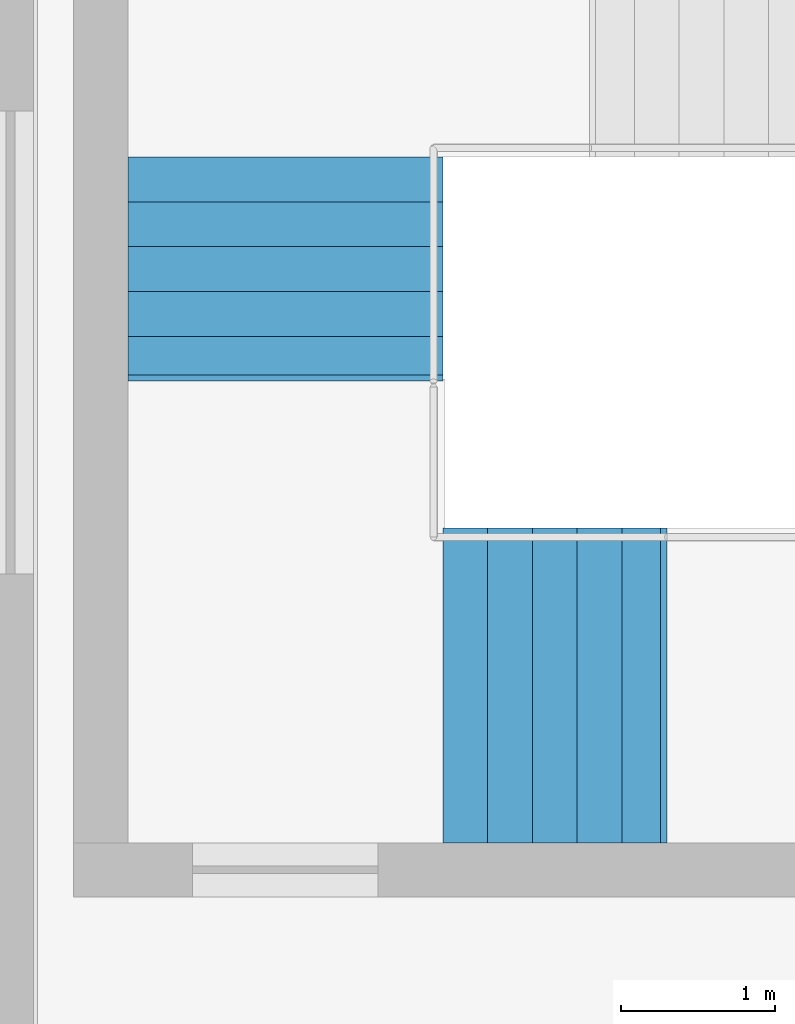
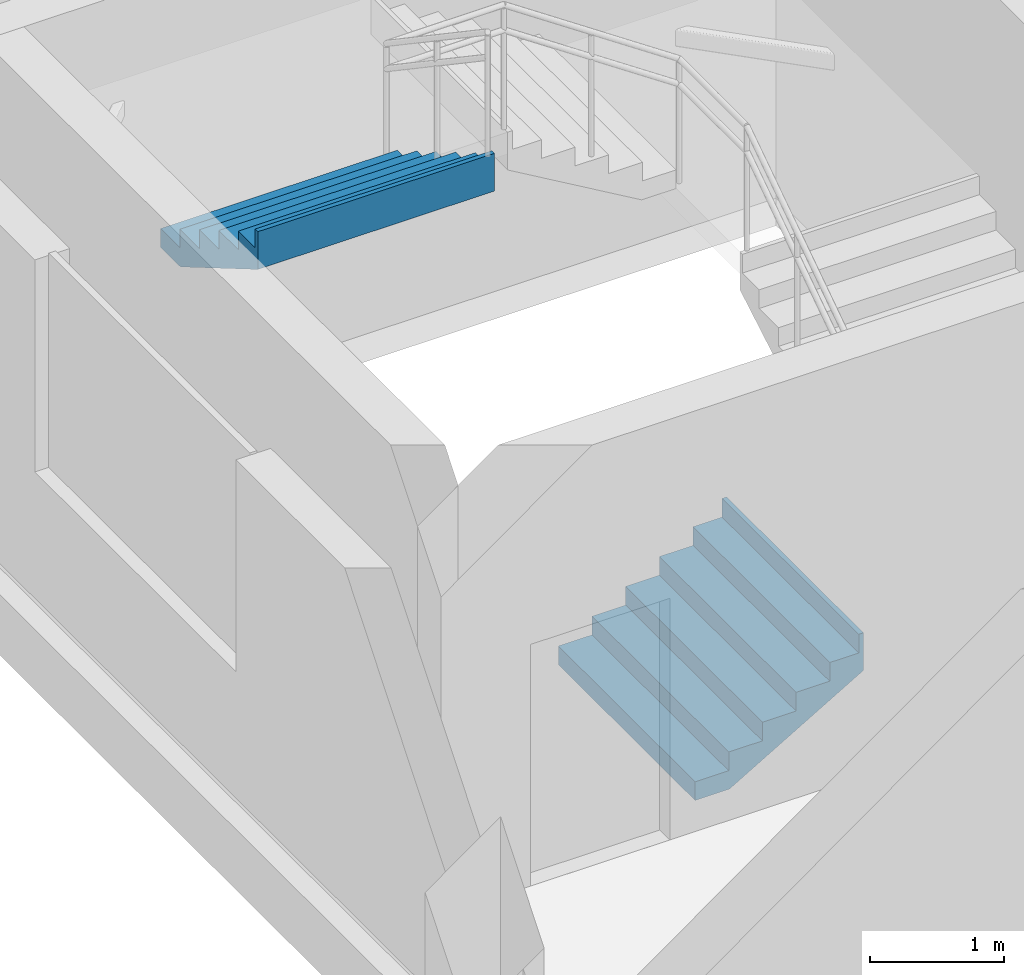
# One storey, part 48 of 53: 2 stair flights, 1 element without a shape of its own.
"""IFC4 building model written with IfcOpenShell, lengths in metres."""

from ifc_helpers import new_model, si_unit, direction, frame, origin, place, context, subcontext, project, spatial, triangles, material, type_object, element, aggregate, save


model = new_model("IFC4")

# Units and contexts
model_context = context("Model", 3, precision=1e-05, world=origin(), true_north=direction((0.0, 1.0)))
body_context = subcontext(model_context, "Body", "Model", "MODEL_VIEW")
ifc_project = project(units=[si_unit("LENGTHUNIT", "METRE"), si_unit("AREAUNIT", "SQUARE_METRE"), si_unit("VOLUMEUNIT", "CUBIC_METRE"), si_unit("PLANEANGLEUNIT", "RADIAN"), si_unit("MASSUNIT", "GRAM", prefix="KILO")], contexts=[model_context])

# Site, building, storey
site_placement = place(None, origin())
site = spatial("IfcSite", under=ifc_project, at=site_placement, CompositionType="ELEMENT")
building_placement = place(site_placement, origin())
building = spatial("IfcBuilding", under=site, at=building_placement, Name="Sillaruma Civic Art Gallery", CompositionType="ELEMENT")
storey_placement = place(building_placement, frame((0.0, 0.0, 70.3798828125)))
storey = spatial("IfcBuildingStorey", under=building, at=storey_placement, Name="L14", CompositionType="ELEMENT", Elevation=70.3798828125)

# Stair, stair flights
ifc_material = material(Name="Concrete H35 (35 MPa)", Category="concrete")
stair_type = type_object("IfcStairType", Name="STR-4F-24", PredefinedType="USERDEFINED", material=ifc_material)
stair_placement = place(storey_placement, origin())
stair = element("IfcStair", 1, at=stair_placement, inside=storey, type_object=stair_type, Name="Protected Exit Stair ST-03 (West Bar South) (L14)", ObjectType="THREE_RETURN_STAIR", PredefinedType="USERDEFINED")
stair_flight_type = type_object("IfcStairFlightType", Name="SFL-STR-6", PredefinedType="STRAIGHT", material=ifc_material)
stair_flight_1_placement = place(storey_placement, frame((64.800048828125, 32.429931640625, 0.0), z_axis=(0.0, 0.0, 1.0), x_axis=(1.0, 0.0, 0.0)))
stair_flight_1 = element("IfcStairFlight", 2, at=stair_flight_1_placement, type_object=stair_flight_type, Name="ST-03 flight 1", NumberOfRisers=6, NumberOfTreads=5, PredefinedType="STRAIGHT", RiserHeight=0.17, TreadLength=0.29, context=body_context, shape_type="Tessellation", body=[
    triangles([(0.0, -1.02001953125, 0.0), (0.29, -1.02001953125, 0.0), (0.296365, -1.02001953125, 0.0), (0.58, -1.02001953125, 0.166269), (0.87, -1.02001953125, 0.336269), (1.16, -1.02001953125, 0.506269), (1.409951, -1.02001953125, 0.652792), (1.449951, -1.02001953125, 0.67624), (1.449951, -1.02001953125, 1.02), (1.409951, -1.02001953125, 1.02), (1.409951, -1.02001953125, 0.85), (1.16, -1.02001953125, 0.85), (1.16, -1.02001953125, 0.68), (0.87, -1.02001953125, 0.68), (0.87, -1.02001953125, 0.51), (0.58, -1.02001953125, 0.51), (0.58, -1.02001953125, 0.34), (0.296365, -1.02001953125, 0.34), (0.29, -1.02001953125, 0.34), (0.29, -1.02001953125, 0.17), (0.0, -1.02001953125, 0.17), (0.0, -0.05, 0.0), (0.29, -0.05, 0.0), (0.296365, -0.05, 0.0), (0.58, -0.05, 0.166269), (0.87, -0.05, 0.336269), (1.16, -0.05, 0.506269), (1.409951, -0.05, 0.652792), (1.449951, -0.05, 0.67624), (1.449951, -0.05, 1.02), (1.409951, -0.05, 1.02), (1.409951, -0.05, 0.85), (1.16, -0.05, 0.85), (1.16, -0.05, 0.68), (0.87, -0.05, 0.68), (0.87, -0.05, 0.51), (0.58, -0.05, 0.51), (0.58, -0.05, 0.34), (0.296365, -0.05, 0.34), (0.29, -0.05, 0.34), (0.29, -0.05, 0.17), (0.0, -0.05, 0.17), (0.0, -0.0375, 0.0), (0.29, -0.0375, 0.0), (0.296365, -0.0375, 0.0), (0.58, -0.0375, 0.166269), (0.87, -0.0375, 0.336269), (1.16, -0.0375, 0.506269), (1.409951, -0.0375, 0.652792), (1.449951, -0.0375, 0.67624), (1.449951, -0.0375, 1.02), (1.409951, -0.0375, 1.02), (1.409951, -0.0375, 0.85), (1.16, -0.0375, 0.85), (1.16, -0.0375, 0.68), (0.87, -0.0375, 0.68), (0.87, -0.0375, 0.51), (0.58, -0.0375, 0.51), (0.58, -0.0375, 0.34), (0.296365, -0.0375, 0.34), (0.29, -0.0375, 0.34), (0.29, -0.0375, 0.17), (0.0, -0.0375, 0.17), (0.0, -0.025, 0.0), (0.29, -0.025, 0.0), (0.296365, -0.025, 0.0), (0.58, -0.025, 0.166269), (0.87, -0.025, 0.336269), (1.16, -0.025, 0.506269), (1.409951, -0.025, 0.652792), (1.449951, -0.025, 0.67624), (1.449951, -0.025, 1.02), (1.409951, -0.025, 1.02), (1.409951, -0.025, 0.85), (1.16, -0.025, 0.85), (1.16, -0.025, 0.68), (0.87, -0.025, 0.68), (0.87, -0.025, 0.51), (0.58, -0.025, 0.51), (0.58, -0.025, 0.34), (0.296365, -0.025, 0.34), (0.29, -0.025, 0.34), (0.29, -0.025, 0.17), (0.0, -0.025, 0.17), (0.0, -0.0125, 0.0), (0.29, -0.0125, 0.0), (0.296365, -0.0125, 0.0), (0.58, -0.0125, 0.166269), (0.87, -0.0125, 0.336269), (1.16, -0.0125, 0.506269), (1.409951, -0.0125, 0.652792), (1.449951, -0.0125, 0.67624), (1.449951, -0.0125, 1.02), (1.409951, -0.0125, 1.02), (1.409951, -0.0125, 0.85), (1.16, -0.0125, 0.85), (1.16, -0.0125, 0.68), (0.87, -0.0125, 0.68), (0.87, -0.0125, 0.51), (0.58, -0.0125, 0.51), (0.58, -0.0125, 0.34), (0.296365, -0.0125, 0.34), (0.29, -0.0125, 0.34), (0.29, -0.0125, 0.17), (0.0, -0.0125, 0.17), (0.0, 0.0, 0.0), (0.29, 0.0, 0.0), (0.296365, 0.0, 0.0), (0.58, 0.0, 0.166269), (0.87, 0.0, 0.336269), (1.16, 0.0, 0.506269), (1.409951, 0.0, 0.652792), (1.449951, 0.0, 0.67624), (1.449951, 0.0, 1.02), (1.409951, 0.0, 1.02), (1.409951, 0.0, 0.85), (1.16, 0.0, 0.85), (1.16, 0.0, 0.68), (0.87, 0.0, 0.68), (0.87, 0.0, 0.51), (0.58, 0.0, 0.51), (0.58, 0.0, 0.34), (0.296365, 0.0, 0.34), (0.29, 0.0, 0.34), (0.29, 0.0, 0.17), (0.0, 0.0, 0.17), (0.0, 0.0125, 0.0), (0.29, 0.0125, 0.0), (0.296365, 0.0125, 0.0), (0.58, 0.0125, 0.166269), (0.87, 0.0125, 0.336269), (1.16, 0.0125, 0.506269), (1.409951, 0.0125, 0.652792), (1.449951, 0.0125, 0.67624), (1.449951, 0.0125, 1.02), (1.409951, 0.0125, 1.02), (1.409951, 0.0125, 0.85), (1.16, 0.0125, 0.85), (1.16, 0.0125, 0.68), (0.87, 0.0125, 0.68), (0.87, 0.0125, 0.51), (0.58, 0.0125, 0.51), (0.58, 0.0125, 0.34), (0.296365, 0.0125, 0.34), (0.29, 0.0125, 0.34), (0.29, 0.0125, 0.17), (0.0, 0.0125, 0.17), (0.0, 0.025, 0.0), (0.29, 0.025, 0.0), (0.296365, 0.025, 0.0), (0.58, 0.025, 0.166269), (0.87, 0.025, 0.336269), (1.16, 0.025, 0.506269), (1.409951, 0.025, 0.652792), (1.449951, 0.025, 0.67624), (1.449951, 0.025, 1.02), (1.409951, 0.025, 1.02), (1.409951, 0.025, 0.85), (1.16, 0.025, 0.85), (1.16, 0.025, 0.68), (0.87, 0.025, 0.68), (0.87, 0.025, 0.51), (0.58, 0.025, 0.51), (0.58, 0.025, 0.34), (0.296365, 0.025, 0.34), (0.29, 0.025, 0.34), (0.29, 0.025, 0.17), (0.0, 0.025, 0.17), (0.0, 0.0375, 0.0), (0.29, 0.0375, 0.0), (0.296365, 0.0375, 0.0), (0.58, 0.0375, 0.166269), (0.87, 0.0375, 0.336269), (1.16, 0.0375, 0.506269), (1.409951, 0.0375, 0.652792), (1.449951, 0.0375, 0.67624), (1.449951, 0.0375, 1.02), (1.409951, 0.0375, 1.02), (1.409951, 0.0375, 0.85), (1.16, 0.0375, 0.85), (1.16, 0.0375, 0.68), (0.87, 0.0375, 0.68), (0.87, 0.0375, 0.51), (0.58, 0.0375, 0.51), (0.58, 0.0375, 0.34), (0.296365, 0.0375, 0.34), (0.29, 0.0375, 0.34), (0.29, 0.0375, 0.17), (0.0, 0.0375, 0.17), (0.0, 0.05, 0.0), (0.29, 0.05, 0.0), (0.296365, 0.05, 0.0), (0.58, 0.05, 0.166269), (0.87, 0.05, 0.336269), (1.16, 0.05, 0.506269), (1.409951, 0.05, 0.652792), (1.449951, 0.05, 0.67624), (1.449951, 0.05, 1.02), (1.409951, 0.05, 1.02), (1.409951, 0.05, 0.85), (1.16, 0.05, 0.85), (1.16, 0.05, 0.68), (0.87, 0.05, 0.68), (0.87, 0.05, 0.51), (0.58, 0.05, 0.51), (0.58, 0.05, 0.34), (0.296365, 0.05, 0.34), (0.29, 0.05, 0.34), (0.29, 0.05, 0.17), (0.0, 0.05, 0.17), (0.0, 1.02001953125, 0.0), (0.29, 1.02001953125, 0.0), (0.296365, 1.02001953125, 0.0), (0.58, 1.02001953125, 0.166269), (0.87, 1.02001953125, 0.336269), (1.16, 1.02001953125, 0.506269), (1.409951, 1.02001953125, 0.652792), (1.449951, 1.02001953125, 0.67624), (1.449951, 1.02001953125, 1.02), (1.409951, 1.02001953125, 1.02), (1.409951, 1.02001953125, 0.85), (1.16, 1.02001953125, 0.85), (1.16, 1.02001953125, 0.68), (0.87, 1.02001953125, 0.68), (0.87, 1.02001953125, 0.51), (0.58, 1.02001953125, 0.51), (0.58, 1.02001953125, 0.34), (0.296365, 1.02001953125, 0.34), (0.29, 1.02001953125, 0.34), (0.29, 1.02001953125, 0.17), (0.0, 1.02001953125, 0.17)], [[1, 2, 20], [1, 20, 21], [2, 3, 18], [2, 18, 20], [20, 18, 19], [3, 4, 17], [3, 17, 18], [4, 5, 15], [4, 15, 17], [17, 15, 16], [5, 6, 13], [5, 13, 15], [15, 13, 14], [6, 7, 11], [6, 11, 13], [13, 11, 12], [7, 8, 9], [7, 9, 11], [11, 9, 10], [230, 212, 211], [231, 230, 211], [228, 213, 212], [230, 228, 212], [229, 228, 230], [227, 214, 213], [228, 227, 213], [225, 215, 214], [227, 225, 214], [226, 225, 227], [223, 216, 215], [225, 223, 215], [224, 223, 225], [221, 217, 216], [223, 221, 216], [222, 221, 223], [219, 218, 217], [221, 219, 217], [220, 219, 221], [2, 1, 22], [2, 22, 23], [3, 2, 23], [3, 23, 24], [4, 3, 24], [4, 24, 25], [5, 4, 25], [5, 25, 26], [6, 5, 26], [6, 26, 27], [7, 6, 27], [7, 27, 28], [8, 7, 28], [8, 28, 29], [9, 8, 29], [9, 29, 30], [10, 9, 30], [10, 30, 31], [11, 10, 31], [11, 31, 32], [12, 11, 32], [12, 32, 33], [13, 12, 33], [13, 33, 34], [14, 13, 34], [14, 34, 35], [15, 14, 35], [15, 35, 36], [16, 15, 36], [16, 36, 37], [17, 16, 37], [17, 37, 38], [18, 17, 38], [18, 38, 39], [19, 18, 39], [19, 39, 40], [20, 19, 40], [20, 40, 41], [21, 20, 41], [21, 41, 42], [1, 21, 42], [1, 42, 22], [23, 22, 43], [23, 43, 44], [24, 23, 44], [24, 44, 45], [25, 24, 45], [25, 45, 46], [26, 25, 46], [26, 46, 47], [27, 26, 47], [27, 47, 48], [28, 27, 48], [28, 48, 49], [29, 28, 49], [29, 49, 50], [30, 29, 50], [30, 50, 51], [31, 30, 51], [31, 51, 52], [32, 31, 52], [32, 52, 53], [33, 32, 53], [33, 53, 54], [34, 33, 54], [34, 54, 55], [35, 34, 55], [35, 55, 56], [36, 35, 56], [36, 56, 57], [37, 36, 57], [37, 57, 58], [38, 37, 58], [38, 58, 59], [39, 38, 59], [39, 59, 60], [40, 39, 60], [40, 60, 61], [41, 40, 61], [41, 61, 62], [42, 41, 62], [42, 62, 63], [22, 42, 63], [22, 63, 43], [44, 43, 64], [44, 64, 65], [45, 44, 65], [45, 65, 66], [46, 45, 66], [46, 66, 67], [47, 46, 67], [47, 67, 68], [48, 47, 68], [48, 68, 69], [49, 48, 69], [49, 69, 70], [50, 49, 70], [50, 70, 71], [51, 50, 71], [51, 71, 72], [52, 51, 72], [52, 72, 73], [53, 52, 73], [53, 73, 74], [54, 53, 74], [54, 74, 75], [55, 54, 75], [55, 75, 76], [56, 55, 76], [56, 76, 77], [57, 56, 77], [57, 77, 78], [58, 57, 78], [58, 78, 79], [59, 58, 79], [59, 79, 80], [60, 59, 80], [60, 80, 81], [61, 60, 81], [61, 81, 82], [62, 61, 82], [62, 82, 83], [63, 62, 83], [63, 83, 84], [43, 63, 84], [43, 84, 64], [65, 64, 85], [65, 85, 86], [66, 65, 86], [66, 86, 87], [67, 66, 87], [67, 87, 88], [68, 67, 88], [68, 88, 89], [69, 68, 89], [69, 89, 90], [70, 69, 90], [70, 90, 91], [71, 70, 91], [71, 91, 92], [72, 71, 92], [72, 92, 93], [73, 72, 93], [73, 93, 94], [74, 73, 94], [74, 94, 95], [75, 74, 95], [75, 95, 96], [76, 75, 96], [76, 96, 97], [77, 76, 97], [77, 97, 98], [78, 77, 98], [78, 98, 99], [79, 78, 99], [79, 99, 100], [80, 79, 100], [80, 100, 101], [81, 80, 101], [81, 101, 102], [82, 81, 102], [82, 102, 103], [83, 82, 103], [83, 103, 104], [84, 83, 104], [84, 104, 105], [64, 84, 105], [64, 105, 85], [86, 85, 106], [86, 106, 107], [87, 86, 107], [87, 107, 108], [88, 87, 108], [88, 108, 109], [89, 88, 109], [89, 109, 110], [90, 89, 110], [90, 110, 111], [91, 90, 111], [91, 111, 112], [92, 91, 112], [92, 112, 113], [93, 92, 113], [93, 113, 114], [94, 93, 114], [94, 114, 115], [95, 94, 115], [95, 115, 116], [96, 95, 116], [96, 116, 117], [97, 96, 117], [97, 117, 118], [98, 97, 118], [98, 118, 119], [99, 98, 119], [99, 119, 120], [100, 99, 120], [100, 120, 121], [101, 100, 121], [101, 121, 122], [102, 101, 122], [102, 122, 123], [103, 102, 123], [103, 123, 124], [104, 103, 124], [104, 124, 125], [105, 104, 125], [105, 125, 126], [85, 105, 126], [85, 126, 106], [107, 106, 127], [107, 127, 128], [108, 107, 128], [108, 128, 129], [109, 108, 129], [109, 129, 130], [110, 109, 130], [110, 130, 131], [111, 110, 131], [111, 131, 132], [112, 111, 132], [112, 132, 133], [113, 112, 133], [113, 133, 134], [114, 113, 134], [114, 134, 135], [115, 114, 135], [115, 135, 136], [116, 115, 136], [116, 136, 137], [117, 116, 137], [117, 137, 138], [118, 117, 138], [118, 138, 139], [119, 118, 139], [119, 139, 140], [120, 119, 140], [120, 140, 141], [121, 120, 141], [121, 141, 142], [122, 121, 142], [122, 142, 143], [123, 122, 143], [123, 143, 144], [124, 123, 144], [124, 144, 145], [125, 124, 145], [125, 145, 146], [126, 125, 146], [126, 146, 147], [106, 126, 147], [106, 147, 127], [128, 127, 148], [128, 148, 149], [129, 128, 149], [129, 149, 150], [130, 129, 150], [130, 150, 151], [131, 130, 151], [131, 151, 152], [132, 131, 152], [132, 152, 153], [133, 132, 153], [133, 153, 154], [134, 133, 154], [134, 154, 155], [135, 134, 155], [135, 155, 156], [136, 135, 156], [136, 156, 157], [137, 136, 157], [137, 157, 158], [138, 137, 158], [138, 158, 159], [139, 138, 159], [139, 159, 160], [140, 139, 160], [140, 160, 161], [141, 140, 161], [141, 161, 162], [142, 141, 162], [142, 162, 163], [143, 142, 163], [143, 163, 164], [144, 143, 164], [144, 164, 165], [145, 144, 165], [145, 165, 166], [146, 145, 166], [146, 166, 167], [147, 146, 167], [147, 167, 168], [127, 147, 168], [127, 168, 148], [149, 148, 169], [149, 169, 170], [150, 149, 170], [150, 170, 171], [151, 150, 171], [151, 171, 172], [152, 151, 172], [152, 172, 173], [153, 152, 173], [153, 173, 174], [154, 153, 174], [154, 174, 175], [155, 154, 175], [155, 175, 176], [156, 155, 176], [156, 176, 177], [157, 156, 177], [157, 177, 178], [158, 157, 178], [158, 178, 179], [159, 158, 179], [159, 179, 180], [160, 159, 180], [160, 180, 181], [161, 160, 181], [161, 181, 182], [162, 161, 182], [162, 182, 183], [163, 162, 183], [163, 183, 184], [164, 163, 184], [164, 184, 185], [165, 164, 185], [165, 185, 186], [166, 165, 186], [166, 186, 187], [167, 166, 187], [167, 187, 188], [168, 167, 188], [168, 188, 189], [148, 168, 189], [148, 189, 169], [170, 169, 190], [170, 190, 191], [171, 170, 191], [171, 191, 192], [172, 171, 192], [172, 192, 193], [173, 172, 193], [173, 193, 194], [174, 173, 194], [174, 194, 195], [175, 174, 195], [175, 195, 196], [176, 175, 196], [176, 196, 197], [177, 176, 197], [177, 197, 198], [178, 177, 198], [178, 198, 199], [179, 178, 199], [179, 199, 200], [180, 179, 200], [180, 200, 201], [181, 180, 201], [181, 201, 202], [182, 181, 202], [182, 202, 203], [183, 182, 203], [183, 203, 204], [184, 183, 204], [184, 204, 205], [185, 184, 205], [185, 205, 206], [186, 185, 206], [186, 206, 207], [187, 186, 207], [187, 207, 208], [188, 187, 208], [188, 208, 209], [189, 188, 209], [189, 209, 210], [169, 189, 210], [169, 210, 190], [191, 190, 211], [191, 211, 212], [192, 191, 212], [192, 212, 213], [193, 192, 213], [193, 213, 214], [194, 193, 214], [194, 214, 215], [195, 194, 215], [195, 215, 216], [196, 195, 216], [196, 216, 217], [197, 196, 217], [197, 217, 218], [198, 197, 218], [198, 218, 219], [199, 198, 219], [199, 219, 220], [200, 199, 220], [200, 220, 221], [201, 200, 221], [201, 221, 222], [202, 201, 222], [202, 222, 223], [203, 202, 223], [203, 223, 224], [204, 203, 224], [204, 224, 225], [205, 204, 225], [205, 225, 226], [206, 205, 226], [206, 226, 227], [207, 206, 227], [207, 227, 228], [208, 207, 228], [208, 228, 229], [209, 208, 229], [209, 229, 230], [210, 209, 230], [210, 230, 231], [190, 210, 231], [190, 231, 211]], closed=True),
])
stair_flight_2_placement = place(storey_placement, frame((63.780029296875, 35.85009765625, 3.06005859375), z_axis=(0.0, 0.0, 1.0), x_axis=(0.0, -1.0, 0.0)))
stair_flight_2 = element("IfcStairFlight", 3, at=stair_flight_2_placement, type_object=stair_flight_type, Name="ST-03 flight 4", NumberOfRisers=6, NumberOfTreads=5, PredefinedType="STRAIGHT", RiserHeight=0.17, TreadLength=0.29, context=body_context, shape_type="Tessellation", body=[
    triangles([(0.0, -1.02001953125, 0.0), (0.29, -1.02001953125, 0.0), (0.296365, -1.02001953125, 0.0), (0.58, -1.02001953125, 0.166269), (0.87, -1.02001953125, 0.336269), (1.16, -1.02001953125, 0.506269), (1.409951, -1.02001953125, 0.652792), (1.449951, -1.02001953125, 0.67624), (1.449951, -1.02001953125, 1.02), (1.409951, -1.02001953125, 1.02), (1.409951, -1.02001953125, 0.85), (1.16, -1.02001953125, 0.85), (1.16, -1.02001953125, 0.68), (0.87, -1.02001953125, 0.68), (0.87, -1.02001953125, 0.51), (0.58, -1.02001953125, 0.51), (0.58, -1.02001953125, 0.34), (0.296365, -1.02001953125, 0.34), (0.29, -1.02001953125, 0.34), (0.29, -1.02001953125, 0.17), (0.0, -1.02001953125, 0.17), (0.0, -0.05, 0.0), (0.29, -0.05, 0.0), (0.296365, -0.05, 0.0), (0.58, -0.05, 0.166269), (0.87, -0.05, 0.336269), (1.16, -0.05, 0.506269), (1.409951, -0.05, 0.652792), (1.449951, -0.05, 0.67624), (1.449951, -0.05, 1.02), (1.409951, -0.05, 1.02), (1.409951, -0.05, 0.85), (1.16, -0.05, 0.85), (1.16, -0.05, 0.68), (0.87, -0.05, 0.68), (0.87, -0.05, 0.51), (0.58, -0.05, 0.51), (0.58, -0.05, 0.34), (0.296365, -0.05, 0.34), (0.29, -0.05, 0.34), (0.29, -0.05, 0.17), (0.0, -0.05, 0.17), (0.0, -0.0375, 0.0), (0.29, -0.0375, 0.0), (0.296365, -0.0375, 0.0), (0.58, -0.0375, 0.166269), (0.87, -0.0375, 0.336269), (1.16, -0.0375, 0.506269), (1.409951, -0.0375, 0.652792), (1.449951, -0.0375, 0.67624), (1.449951, -0.0375, 1.02), (1.409951, -0.0375, 1.02), (1.409951, -0.0375, 0.85), (1.16, -0.0375, 0.85), (1.16, -0.0375, 0.68), (0.87, -0.0375, 0.68), (0.87, -0.0375, 0.51), (0.58, -0.0375, 0.51), (0.58, -0.0375, 0.34), (0.296365, -0.0375, 0.34), (0.29, -0.0375, 0.34), (0.29, -0.0375, 0.17), (0.0, -0.0375, 0.17), (0.0, -0.025, 0.0), (0.29, -0.025, 0.0), (0.296365, -0.025, 0.0), (0.58, -0.025, 0.166269), (0.87, -0.025, 0.336269), (1.16, -0.025, 0.506269), (1.409951, -0.025, 0.652792), (1.449951, -0.025, 0.67624), (1.449951, -0.025, 1.02), (1.409951, -0.025, 1.02), (1.409951, -0.025, 0.85), (1.16, -0.025, 0.85), (1.16, -0.025, 0.68), (0.87, -0.025, 0.68), (0.87, -0.025, 0.51), (0.58, -0.025, 0.51), (0.58, -0.025, 0.34), (0.296365, -0.025, 0.34), (0.29, -0.025, 0.34), (0.29, -0.025, 0.17), (0.0, -0.025, 0.17), (0.0, -0.0125, 0.0), (0.29, -0.0125, 0.0), (0.296365, -0.0125, 0.0), (0.58, -0.0125, 0.166269), (0.87, -0.0125, 0.336269), (1.16, -0.0125, 0.506269), (1.409951, -0.0125, 0.652792), (1.449951, -0.0125, 0.67624), (1.449951, -0.0125, 1.02), (1.409951, -0.0125, 1.02), (1.409951, -0.0125, 0.85), (1.16, -0.0125, 0.85), (1.16, -0.0125, 0.68), (0.87, -0.0125, 0.68), (0.87, -0.0125, 0.51), (0.58, -0.0125, 0.51), (0.58, -0.0125, 0.34), (0.296365, -0.0125, 0.34), (0.29, -0.0125, 0.34), (0.29, -0.0125, 0.17), (0.0, -0.0125, 0.17), (0.0, 0.0, 0.0), (0.29, 0.0, 0.0), (0.296365, 0.0, 0.0), (0.58, 0.0, 0.166269), (0.87, 0.0, 0.336269), (1.16, 0.0, 0.506269), (1.409951, 0.0, 0.652792), (1.449951, 0.0, 0.67624), (1.449951, 0.0, 1.02), (1.409951, 0.0, 1.02), (1.409951, 0.0, 0.85), (1.16, 0.0, 0.85), (1.16, 0.0, 0.68), (0.87, 0.0, 0.68), (0.87, 0.0, 0.51), (0.58, 0.0, 0.51), (0.58, 0.0, 0.34), (0.296365, 0.0, 0.34), (0.29, 0.0, 0.34), (0.29, 0.0, 0.17), (0.0, 0.0, 0.17), (0.0, 0.0125, 0.0), (0.29, 0.0125, 0.0), (0.296365, 0.0125, 0.0), (0.58, 0.0125, 0.166269), (0.87, 0.0125, 0.336269), (1.16, 0.0125, 0.506269), (1.409951, 0.0125, 0.652792), (1.449951, 0.0125, 0.67624), (1.449951, 0.0125, 1.02), (1.409951, 0.0125, 1.02), (1.409951, 0.0125, 0.85), (1.16, 0.0125, 0.85), (1.16, 0.0125, 0.68), (0.87, 0.0125, 0.68), (0.87, 0.0125, 0.51), (0.58, 0.0125, 0.51), (0.58, 0.0125, 0.34), (0.296365, 0.0125, 0.34), (0.29, 0.0125, 0.34), (0.29, 0.0125, 0.17), (0.0, 0.0125, 0.17), (0.0, 0.025, 0.0), (0.29, 0.025, 0.0), (0.296365, 0.025, 0.0), (0.58, 0.025, 0.166269), (0.87, 0.025, 0.336269), (1.16, 0.025, 0.506269), (1.409951, 0.025, 0.652792), (1.449951, 0.025, 0.67624), (1.449951, 0.025, 1.02), (1.409951, 0.025, 1.02), (1.409951, 0.025, 0.85), (1.16, 0.025, 0.85), (1.16, 0.025, 0.68), (0.87, 0.025, 0.68), (0.87, 0.025, 0.51), (0.58, 0.025, 0.51), (0.58, 0.025, 0.34), (0.296365, 0.025, 0.34), (0.29, 0.025, 0.34), (0.29, 0.025, 0.17), (0.0, 0.025, 0.17), (0.0, 0.0375, 0.0), (0.29, 0.0375, 0.0), (0.296365, 0.0375, 0.0), (0.58, 0.0375, 0.166269), (0.87, 0.0375, 0.336269), (1.16, 0.0375, 0.506269), (1.409951, 0.0375, 0.652792), (1.449951, 0.0375, 0.67624), (1.449951, 0.0375, 1.02), (1.409951, 0.0375, 1.02), (1.409951, 0.0375, 0.85), (1.16, 0.0375, 0.85), (1.16, 0.0375, 0.68), (0.87, 0.0375, 0.68), (0.87, 0.0375, 0.51), (0.58, 0.0375, 0.51), (0.58, 0.0375, 0.34), (0.296365, 0.0375, 0.34), (0.29, 0.0375, 0.34), (0.29, 0.0375, 0.17), (0.0, 0.0375, 0.17), (0.0, 0.05, 0.0), (0.29, 0.05, 0.0), (0.296365, 0.05, 0.0), (0.58, 0.05, 0.166269), (0.87, 0.05, 0.336269), (1.16, 0.05, 0.506269), (1.409951, 0.05, 0.652792), (1.449951, 0.05, 0.67624), (1.449951, 0.05, 1.02), (1.409951, 0.05, 1.02), (1.409951, 0.05, 0.85), (1.16, 0.05, 0.85), (1.16, 0.05, 0.68), (0.87, 0.05, 0.68), (0.87, 0.05, 0.51), (0.58, 0.05, 0.51), (0.58, 0.05, 0.34), (0.296365, 0.05, 0.34), (0.29, 0.05, 0.34), (0.29, 0.05, 0.17), (0.0, 0.05, 0.17), (0.0, 1.02001953125, 0.0), (0.29, 1.02001953125, 0.0), (0.296365, 1.02001953125, 0.0), (0.58, 1.02001953125, 0.166269), (0.87, 1.02001953125, 0.336269), (1.16, 1.02001953125, 0.506269), (1.409951, 1.02001953125, 0.652792), (1.449951, 1.02001953125, 0.67624), (1.449951, 1.02001953125, 1.02), (1.409951, 1.02001953125, 1.02), (1.409951, 1.02001953125, 0.85), (1.16, 1.02001953125, 0.85), (1.16, 1.02001953125, 0.68), (0.87, 1.02001953125, 0.68), (0.87, 1.02001953125, 0.51), (0.58, 1.02001953125, 0.51), (0.58, 1.02001953125, 0.34), (0.296365, 1.02001953125, 0.34), (0.29, 1.02001953125, 0.34), (0.29, 1.02001953125, 0.17), (0.0, 1.02001953125, 0.17)], [[1, 2, 20], [1, 20, 21], [2, 3, 18], [2, 18, 20], [20, 18, 19], [3, 4, 17], [3, 17, 18], [4, 5, 15], [4, 15, 17], [17, 15, 16], [5, 6, 13], [5, 13, 15], [15, 13, 14], [6, 7, 11], [6, 11, 13], [13, 11, 12], [7, 8, 9], [7, 9, 11], [11, 9, 10], [230, 212, 211], [231, 230, 211], [228, 213, 212], [230, 228, 212], [229, 228, 230], [227, 214, 213], [228, 227, 213], [225, 215, 214], [227, 225, 214], [226, 225, 227], [223, 216, 215], [225, 223, 215], [224, 223, 225], [221, 217, 216], [223, 221, 216], [222, 221, 223], [219, 218, 217], [221, 219, 217], [220, 219, 221], [2, 1, 22], [2, 22, 23], [3, 2, 23], [3, 23, 24], [4, 3, 24], [4, 24, 25], [5, 4, 25], [5, 25, 26], [6, 5, 26], [6, 26, 27], [7, 6, 27], [7, 27, 28], [8, 7, 28], [8, 28, 29], [9, 8, 29], [9, 29, 30], [10, 9, 30], [10, 30, 31], [11, 10, 31], [11, 31, 32], [12, 11, 32], [12, 32, 33], [13, 12, 33], [13, 33, 34], [14, 13, 34], [14, 34, 35], [15, 14, 35], [15, 35, 36], [16, 15, 36], [16, 36, 37], [17, 16, 37], [17, 37, 38], [18, 17, 38], [18, 38, 39], [19, 18, 39], [19, 39, 40], [20, 19, 40], [20, 40, 41], [21, 20, 41], [21, 41, 42], [1, 21, 42], [1, 42, 22], [23, 22, 43], [23, 43, 44], [24, 23, 44], [24, 44, 45], [25, 24, 45], [25, 45, 46], [26, 25, 46], [26, 46, 47], [27, 26, 47], [27, 47, 48], [28, 27, 48], [28, 48, 49], [29, 28, 49], [29, 49, 50], [30, 29, 50], [30, 50, 51], [31, 30, 51], [31, 51, 52], [32, 31, 52], [32, 52, 53], [33, 32, 53], [33, 53, 54], [34, 33, 54], [34, 54, 55], [35, 34, 55], [35, 55, 56], [36, 35, 56], [36, 56, 57], [37, 36, 57], [37, 57, 58], [38, 37, 58], [38, 58, 59], [39, 38, 59], [39, 59, 60], [40, 39, 60], [40, 60, 61], [41, 40, 61], [41, 61, 62], [42, 41, 62], [42, 62, 63], [22, 42, 63], [22, 63, 43], [44, 43, 64], [44, 64, 65], [45, 44, 65], [45, 65, 66], [46, 45, 66], [46, 66, 67], [47, 46, 67], [47, 67, 68], [48, 47, 68], [48, 68, 69], [49, 48, 69], [49, 69, 70], [50, 49, 70], [50, 70, 71], [51, 50, 71], [51, 71, 72], [52, 51, 72], [52, 72, 73], [53, 52, 73], [53, 73, 74], [54, 53, 74], [54, 74, 75], [55, 54, 75], [55, 75, 76], [56, 55, 76], [56, 76, 77], [57, 56, 77], [57, 77, 78], [58, 57, 78], [58, 78, 79], [59, 58, 79], [59, 79, 80], [60, 59, 80], [60, 80, 81], [61, 60, 81], [61, 81, 82], [62, 61, 82], [62, 82, 83], [63, 62, 83], [63, 83, 84], [43, 63, 84], [43, 84, 64], [65, 64, 85], [65, 85, 86], [66, 65, 86], [66, 86, 87], [67, 66, 87], [67, 87, 88], [68, 67, 88], [68, 88, 89], [69, 68, 89], [69, 89, 90], [70, 69, 90], [70, 90, 91], [71, 70, 91], [71, 91, 92], [72, 71, 92], [72, 92, 93], [73, 72, 93], [73, 93, 94], [74, 73, 94], [74, 94, 95], [75, 74, 95], [75, 95, 96], [76, 75, 96], [76, 96, 97], [77, 76, 97], [77, 97, 98], [78, 77, 98], [78, 98, 99], [79, 78, 99], [79, 99, 100], [80, 79, 100], [80, 100, 101], [81, 80, 101], [81, 101, 102], [82, 81, 102], [82, 102, 103], [83, 82, 103], [83, 103, 104], [84, 83, 104], [84, 104, 105], [64, 84, 105], [64, 105, 85], [86, 85, 106], [86, 106, 107], [87, 86, 107], [87, 107, 108], [88, 87, 108], [88, 108, 109], [89, 88, 109], [89, 109, 110], [90, 89, 110], [90, 110, 111], [91, 90, 111], [91, 111, 112], [92, 91, 112], [92, 112, 113], [93, 92, 113], [93, 113, 114], [94, 93, 114], [94, 114, 115], [95, 94, 115], [95, 115, 116], [96, 95, 116], [96, 116, 117], [97, 96, 117], [97, 117, 118], [98, 97, 118], [98, 118, 119], [99, 98, 119], [99, 119, 120], [100, 99, 120], [100, 120, 121], [101, 100, 121], [101, 121, 122], [102, 101, 122], [102, 122, 123], [103, 102, 123], [103, 123, 124], [104, 103, 124], [104, 124, 125], [105, 104, 125], [105, 125, 126], [85, 105, 126], [85, 126, 106], [107, 106, 127], [107, 127, 128], [108, 107, 128], [108, 128, 129], [109, 108, 129], [109, 129, 130], [110, 109, 130], [110, 130, 131], [111, 110, 131], [111, 131, 132], [112, 111, 132], [112, 132, 133], [113, 112, 133], [113, 133, 134], [114, 113, 134], [114, 134, 135], [115, 114, 135], [115, 135, 136], [116, 115, 136], [116, 136, 137], [117, 116, 137], [117, 137, 138], [118, 117, 138], [118, 138, 139], [119, 118, 139], [119, 139, 140], [120, 119, 140], [120, 140, 141], [121, 120, 141], [121, 141, 142], [122, 121, 142], [122, 142, 143], [123, 122, 143], [123, 143, 144], [124, 123, 144], [124, 144, 145], [125, 124, 145], [125, 145, 146], [126, 125, 146], [126, 146, 147], [106, 126, 147], [106, 147, 127], [128, 127, 148], [128, 148, 149], [129, 128, 149], [129, 149, 150], [130, 129, 150], [130, 150, 151], [131, 130, 151], [131, 151, 152], [132, 131, 152], [132, 152, 153], [133, 132, 153], [133, 153, 154], [134, 133, 154], [134, 154, 155], [135, 134, 155], [135, 155, 156], [136, 135, 156], [136, 156, 157], [137, 136, 157], [137, 157, 158], [138, 137, 158], [138, 158, 159], [139, 138, 159], [139, 159, 160], [140, 139, 160], [140, 160, 161], [141, 140, 161], [141, 161, 162], [142, 141, 162], [142, 162, 163], [143, 142, 163], [143, 163, 164], [144, 143, 164], [144, 164, 165], [145, 144, 165], [145, 165, 166], [146, 145, 166], [146, 166, 167], [147, 146, 167], [147, 167, 168], [127, 147, 168], [127, 168, 148], [149, 148, 169], [149, 169, 170], [150, 149, 170], [150, 170, 171], [151, 150, 171], [151, 171, 172], [152, 151, 172], [152, 172, 173], [153, 152, 173], [153, 173, 174], [154, 153, 174], [154, 174, 175], [155, 154, 175], [155, 175, 176], [156, 155, 176], [156, 176, 177], [157, 156, 177], [157, 177, 178], [158, 157, 178], [158, 178, 179], [159, 158, 179], [159, 179, 180], [160, 159, 180], [160, 180, 181], [161, 160, 181], [161, 181, 182], [162, 161, 182], [162, 182, 183], [163, 162, 183], [163, 183, 184], [164, 163, 184], [164, 184, 185], [165, 164, 185], [165, 185, 186], [166, 165, 186], [166, 186, 187], [167, 166, 187], [167, 187, 188], [168, 167, 188], [168, 188, 189], [148, 168, 189], [148, 189, 169], [170, 169, 190], [170, 190, 191], [171, 170, 191], [171, 191, 192], [172, 171, 192], [172, 192, 193], [173, 172, 193], [173, 193, 194], [174, 173, 194], [174, 194, 195], [175, 174, 195], [175, 195, 196], [176, 175, 196], [176, 196, 197], [177, 176, 197], [177, 197, 198], [178, 177, 198], [178, 198, 199], [179, 178, 199], [179, 199, 200], [180, 179, 200], [180, 200, 201], [181, 180, 201], [181, 201, 202], [182, 181, 202], [182, 202, 203], [183, 182, 203], [183, 203, 204], [184, 183, 204], [184, 204, 205], [185, 184, 205], [185, 205, 206], [186, 185, 206], [186, 206, 207], [187, 186, 207], [187, 207, 208], [188, 187, 208], [188, 208, 209], [189, 188, 209], [189, 209, 210], [169, 189, 210], [169, 210, 190], [191, 190, 211], [191, 211, 212], [192, 191, 212], [192, 212, 213], [193, 192, 213], [193, 213, 214], [194, 193, 214], [194, 214, 215], [195, 194, 215], [195, 215, 216], [196, 195, 216], [196, 216, 217], [197, 196, 217], [197, 217, 218], [198, 197, 218], [198, 218, 219], [199, 198, 219], [199, 219, 220], [200, 199, 220], [200, 220, 221], [201, 200, 221], [201, 221, 222], [202, 201, 222], [202, 222, 223], [203, 202, 223], [203, 223, 224], [204, 203, 224], [204, 224, 225], [205, 204, 225], [205, 225, 226], [206, 205, 226], [206, 226, 227], [207, 206, 227], [207, 227, 228], [208, 207, 228], [208, 228, 229], [209, 208, 229], [209, 229, 230], [210, 209, 230], [210, 230, 231], [190, 210, 231], [190, 231, 211]], closed=True),
])
aggregate(stair, [stair_flight_1, stair_flight_2])

save(model, "model.ifc")
